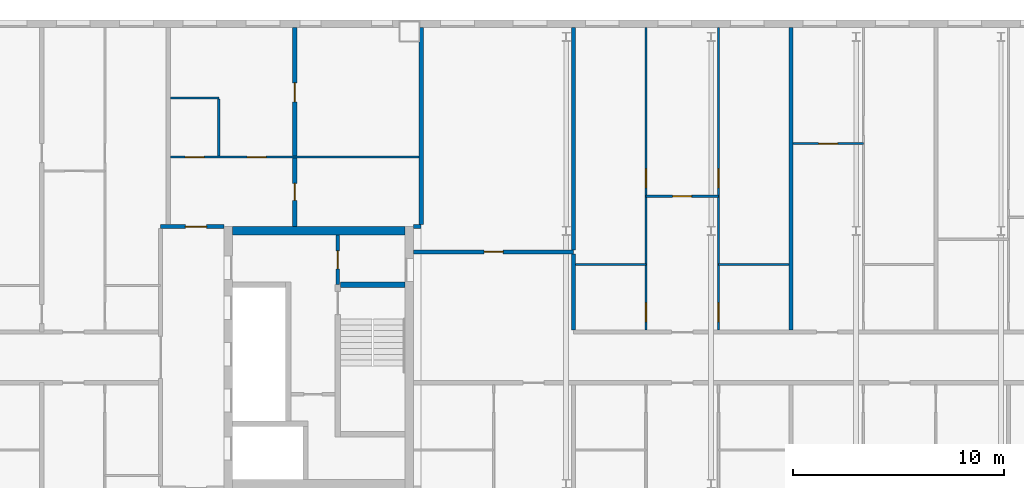
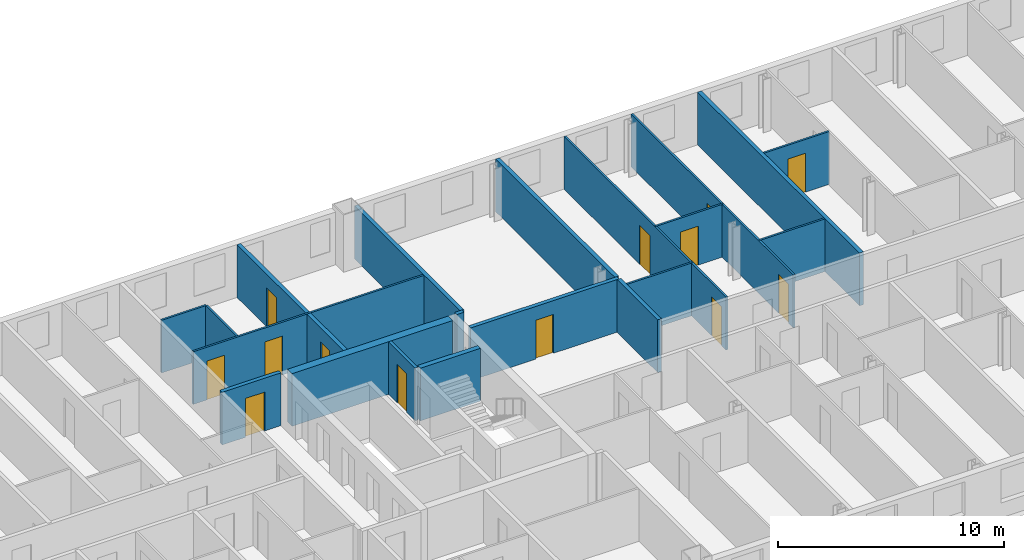
# One storey, part 9 of 19: 20 walls, 13 doors, 13 openings.
"""IFC4 building model written with IfcOpenShell, lengths in metres."""

from ifc_helpers import new_model, si_unit, direction, frame, frame_2d, origin, place, context, subcontext, project, spatial, rectangle, extrude, material, layer, layer_set, type_object, element, fill, save


model = new_model("IFC4")

# Units and contexts
model_context = context("Model", 3, precision=1e-05, world=origin(), true_north=direction((0.0, 1.0)))
body_context = subcontext(model_context, "Body", "Model", "MODEL_VIEW")
ifc_project = project(units=[si_unit("LENGTHUNIT", "METRE"), si_unit("AREAUNIT", "SQUARE_METRE"), si_unit("VOLUMEUNIT", "CUBIC_METRE"), si_unit("PLANEANGLEUNIT", "RADIAN"), si_unit("MASSUNIT", "GRAM", prefix="KILO")], contexts=[model_context])

# Site, building, storey
site_placement = place(None, origin())
site = spatial("IfcSite", under=ifc_project, at=site_placement, CompositionType="ELEMENT")
building_placement = place(site_placement, origin())
building = spatial("IfcBuilding", under=site, at=building_placement, Name="Tuart Gate Housing", CompositionType="ELEMENT")
storey_placement = place(building_placement, frame((0.0, 0.0, 205.89990234375)))
storey = spatial("IfcBuildingStorey", under=building, at=storey_placement, Name="L58", CompositionType="ELEMENT", Elevation=205.89990234375)

# Wall, opening, door
ifc_material_1 = material(Name="Plasterboard partition")
ifc_layer_1 = layer(ifc_material_1, 0.14990234375)
ifc_layer_set_1 = layer_set([ifc_layer_1], Name="Core partition 150")
wall_type_1 = type_object("IfcWallType", Name="Core partition 150", PredefinedType="PARTITIONING", material=ifc_layer_set_1)
wall_1_placement = place(storey_placement, frame((72.0400390625, 73.449951171875, 0.0), z_axis=(0.0, 0.0, 1.0), x_axis=(0.0, 1.0, 0.0)))
wall_1 = element("IfcWall", 1, at=wall_1_placement, inside=storey, type_object=wall_type_1, Name="Core partition AG.9", PredefinedType="PARTITIONING", context=body_context, shape_type="SweptSolid", body=[
    extrude(rectangle(XDim=2.35009765625, YDim=0.14990234375, at=frame_2d((1.175048828125, 0.0))), origin(), (0.0, 0.0, 1.0), 2.85009765625),
])
opening_1_placement = place(wall_1_placement, frame((0.75, 0.0, 0.0)))
opening_1 = element("IfcOpeningElement", 2, at=opening_1_placement, cuts=wall_1, Name="Opening D1966", PredefinedType="OPENING", context=body_context, shape_type="SweptSolid", body=[
    extrude(rectangle(XDim=0.85009765625, YDim=2.10009765625, at=frame_2d((0.425048828125, 1.050048828125))), frame((0.0, 0.0849609375, 0.0), z_axis=(0.0, -1.0, 0.0), x_axis=(1.0, 0.0, 0.0)), (0.0, 0.0, 1.0), 0.169921875),
])
ifc_material_2 = material(Name="Steel fire door", Category="steel")
door_type_1 = type_object("IfcDoorType", Name="Service door 850 x 2100 RH", OperationType="SINGLE_SWING_RIGHT", PredefinedType="DOOR", material=ifc_material_2)
door_1_placement = place(opening_1_placement, frame((0.85009765625, 0.0, 0.0), z_axis=(0.0, 0.0, 1.0), x_axis=(-1.0, 0.0, 0.0)))
door_1 = element("IfcDoor", 3, at=door_1_placement, inside=storey, type_object=door_type_1, Name="Service room door AG.ST", OperationType="SINGLE_SWING_RIGHT", OverallHeight=2.10009765625, OverallWidth=0.85009765625, PredefinedType="DOOR", context=body_context, shape_type="SweptSolid", body=[
    extrude(rectangle(XDim=0.85009765625, YDim=2.10009765625, at=frame_2d((0.425048828125, 1.050048828125))), frame((0.0, 0.025146484375, 0.0), z_axis=(0.0, -1.0, 0.0), x_axis=(1.0, 0.0, 0.0)), (0.0, 0.0, 1.0), 0.050048828125),
])
fill(opening_1, door_1)

# Walls
ifc_material_3 = material(Name="Concrete C40", Category="concrete")
ifc_layer_2 = layer(ifc_material_3, 0.25)
ifc_layer_set_2 = layer_set([ifc_layer_2], Name="Core wall 250 C40")
wall_type_2 = type_object("IfcWallType", Name="Core wall 250 C40", PredefinedType="SHEAR", material=ifc_layer_set_2)
wall_2_placement = place(storey_placement, frame((72.1650390625, 73.449951171875, 0.0), z_axis=(0.0, 0.0, 1.0), x_axis=(1.0, 0.0, 0.0)))
element("IfcWall", 4, at=wall_2_placement, inside=storey, type_object=wall_type_2, Name="Core wall AG.5", PredefinedType="SHEAR", context=body_context, shape_type="SweptSolid", body=[
    extrude(rectangle(XDim=3.074951171875, YDim=0.25, at=frame_2d((1.53759765625, 0.0))), origin(), (0.0, 0.0, 1.0), 2.85009765625),
])
ifc_material_4 = material(Name="Concrete C40", Category="concrete")
ifc_layer_3 = layer(ifc_material_4, 0.39990234375)
ifc_layer_set_3 = layer_set([ifc_layer_3], Name="Core wall 400 C40")
wall_type_3 = type_object("IfcWallType", Name="Core wall 400 C40", PredefinedType="SHEAR", material=ifc_layer_set_3)
wall_3_placement = place(storey_placement, frame((67.0400390625, 76.0, 0.0), z_axis=(0.0, 0.0, 1.0), x_axis=(1.0, 0.0, 0.0)))
element("IfcWall", 5, at=wall_3_placement, inside=storey, type_object=wall_type_3, Name="Core wall AG north", PredefinedType="SHEAR", context=body_context, shape_type="SweptSolid", body=[
    extrude(rectangle(XDim=8.199951171875, YDim=0.39990234375, at=frame_2d((4.10009765625, 0.0))), origin(), (0.0, 0.0, 1.0), 2.85009765625),
])

# Wall, opening, door
ifc_material_5 = material(Name="Concrete masonry 15 MPa", Category="masonry")
ifc_layer_4 = layer(ifc_material_5, 0.199951171875)
ifc_layer_set_4 = layer_set([ifc_layer_4], Name="Corridor wall masonry 200")
wall_type_4 = type_object("IfcWallType", Name="Corridor wall masonry 200", PredefinedType="PARTITIONING", material=ifc_layer_set_4)
wall_4_placement = place(storey_placement, frame((75.639892578125, 75.0, 0.0), z_axis=(0.0, 0.0, 1.0), x_axis=(1.0, 0.0, 0.0)))
wall_4 = element("IfcWall", 6, at=wall_4_placement, inside=storey, type_object=wall_type_4, Name="Corridor wall masonry 200", PredefinedType="PARTITIONING", context=body_context, shape_type="SweptSolid", body=[
    extrude(rectangle(XDim=7.585205078125, YDim=0.199951171875, at=frame_2d((3.79248046875, 0.0))), origin(), (0.0, 0.0, 1.0), 2.85009765625),
])
opening_2_placement = place(wall_4_placement, frame((3.342529296875, 0.0, 0.0)))
opening_2 = element("IfcOpeningElement", 7, at=opening_2_placement, cuts=wall_4, Name="Opening D2021", PredefinedType="OPENING", context=body_context, shape_type="SweptSolid", body=[
    extrude(rectangle(XDim=0.89990234375, YDim=2.10009765625, at=frame_2d((0.449951171875, 1.050048828125))), frame((0.0, 0.10986328125, 0.0), z_axis=(0.0, -1.0, 0.0), x_axis=(1.0, 0.0, 0.0)), (0.0, 0.0, 1.0), 0.219970703125),
])
ifc_material_6 = material(Name="Timber door leaf in steel frame", Category="steel")
door_type_2 = type_object("IfcDoorType", Name="Internal door 900", OperationType="SINGLE_SWING_LEFT", PredefinedType="DOOR", material=ifc_material_6)
door_2_placement = place(opening_2_placement, origin())
door_2 = element("IfcDoor", 8, at=door_2_placement, inside=storey, type_object=door_type_2, Name="Internal door", OperationType="SINGLE_SWING_LEFT", OverallHeight=2.10009765625, OverallWidth=0.89990234375, PredefinedType="DOOR", context=body_context, shape_type="SweptSolid", body=[
    extrude(rectangle(XDim=0.89990234375, YDim=2.10009765625, at=frame_2d((0.449951171875, 1.050048828125))), frame((0.0, 0.02490234375, 0.0), z_axis=(0.0, -1.0, 0.0), x_axis=(1.0, 0.0, 0.0)), (0.0, 0.0, 1.0), 0.050048828125),
])
fill(opening_2, door_2)

# Wall
wall_5_placement = place(storey_placement, frame((83.22509765625, 71.300048828125, 0.0), z_axis=(0.0, 0.0, 1.0), x_axis=(0.0, 1.0, 0.0)))
element("IfcWall", 9, at=wall_5_placement, inside=storey, type_object=wall_type_4, Name="Corridor wall masonry 200", PredefinedType="PARTITIONING", context=body_context, shape_type="SweptSolid", body=[
    extrude(rectangle(XDim=3.599853515625, YDim=0.199951171875, at=frame_2d((1.7998046875, 0.0))), origin(), (0.0, 0.0, 1.0), 2.85009765625),
])

# Wall, opening, door
ifc_material_7 = material(Name="Concrete masonry 15 MPa", Category="masonry")
ifc_layer_5 = layer(ifc_material_7, 0.199951171875)
ifc_layer_set_5 = layer_set([ifc_layer_5], Name="Enclosure wall masonry 200")
wall_type_5 = type_object("IfcWallType", Name="Enclosure wall masonry 200", PredefinedType="PARTITIONING", material=ifc_layer_set_5)
wall_6_placement = place(storey_placement, frame((63.639892578125, 76.199951171875, 0.0), z_axis=(0.0, 0.0, 1.0), x_axis=(1.0, 0.0, 0.0)))
wall_6 = element("IfcWall", 10, at=wall_6_placement, inside=storey, type_object=wall_type_5, Name="Enclosure wall masonry 200", PredefinedType="PARTITIONING", context=body_context, shape_type="SweptSolid", body=[
    extrude(rectangle(XDim=3.0, YDim=0.199951171875, at=frame_2d((1.5, 0.0))), origin(), (0.0, 0.0, 1.0), 2.85009765625),
])
opening_3_placement = place(wall_6_placement, frame((1.179931640625, 0.0, 0.0)))
opening_3 = element("IfcOpeningElement", 11, at=opening_3_placement, cuts=wall_6, Name="Opening D1965", PredefinedType="OPENING", context=body_context, shape_type="SweptSolid", body=[
    extrude(rectangle(XDim=1.0, YDim=2.10009765625, at=frame_2d((0.5, 1.050048828125))), frame((0.0, 0.10986328125, 0.0), z_axis=(0.0, -1.0, 0.0), x_axis=(1.0, 0.0, 0.0)), (0.0, 0.0, 1.0), 0.219970703125),
])
ifc_material_8 = material(Name="Timber door leaf in steel frame", Category="steel")
door_type_3 = type_object("IfcDoorType", Name="Flat entrance door 1000", OperationType="SINGLE_SWING_LEFT", PredefinedType="DOOR", material=ifc_material_8)
door_3_placement = place(opening_3_placement, origin())
door_3 = element("IfcDoor", 12, at=door_3_placement, inside=storey, type_object=door_type_3, Name="Flat entrance door", OperationType="SINGLE_SWING_LEFT", OverallHeight=2.10009765625, OverallWidth=1.0, PredefinedType="DOOR", context=body_context, shape_type="SweptSolid", body=[
    extrude(rectangle(XDim=1.0, YDim=2.10009765625, at=frame_2d((0.5, 1.050048828125))), frame((0.0, 0.02490234375, 0.0), z_axis=(0.0, -1.0, 0.0), x_axis=(1.0, 0.0, 0.0)), (0.0, 0.0, 1.0), 0.050048828125),
])
fill(opening_3, door_3)

# Walls
ifc_material_9 = material(Name="Gypsum board on steel studs", Category="steel")
ifc_layer_6 = layer(ifc_material_9, 0.10009765625)
ifc_layer_set_6 = layer_set([ifc_layer_6], Name="Partition 100")
wall_type_6 = type_object("IfcWallType", Name="Partition 100", PredefinedType="PARTITIONING", material=ifc_layer_set_6)
wall_7_placement = place(storey_placement, frame((83.324951171875, 74.39990234375, 0.0), z_axis=(0.0, 0.0, 1.0), x_axis=(1.0, 0.0, 0.0)))
element("IfcWall", 13, at=wall_7_placement, inside=storey, type_object=wall_type_6, Name="Partition 100", PredefinedType="PARTITIONING", context=body_context, shape_type="SweptSolid", body=[
    extrude(rectangle(XDim=3.337158203125, YDim=0.10009765625, at=frame_2d((1.66845703125, 0.0))), origin(), (0.0, 0.0, 1.0), 2.85009765625),
])
wall_8_placement = place(storey_placement, frame((90.10009765625, 74.39990234375, 0.0), z_axis=(0.0, 0.0, 1.0), x_axis=(1.0, 0.0, 0.0)))
element("IfcWall", 14, at=wall_8_placement, inside=storey, type_object=wall_type_6, Name="Partition 100", PredefinedType="PARTITIONING", context=body_context, shape_type="SweptSolid", body=[
    extrude(rectangle(XDim=3.3369140625, YDim=0.10009765625, at=frame_2d((1.66845703125, 0.0))), origin(), (0.0, 0.0, 1.0), 2.85009765625),
])

# Wall, opening, door
wall_9_placement = place(storey_placement, frame((86.662109375, 77.639892578125, 0.0), z_axis=(0.0, 0.0, 1.0), x_axis=(1.0, 0.0, 0.0)))
wall_9 = element("IfcWall", 15, at=wall_9_placement, inside=storey, type_object=wall_type_6, Name="Partition 100", PredefinedType="PARTITIONING", context=body_context, shape_type="SweptSolid", body=[
    extrude(rectangle(XDim=3.43798828125, YDim=0.10009765625, at=frame_2d((1.718994140625, 0.0))), origin(), (0.0, 0.0, 1.0), 2.85009765625),
])
opening_4_placement = place(wall_9_placement, frame((1.26904296875, 0.0, 0.0)))
opening_4 = element("IfcOpeningElement", 16, at=opening_4_placement, cuts=wall_9, Name="Opening D2017", PredefinedType="OPENING", context=body_context, shape_type="SweptSolid", body=[
    extrude(rectangle(XDim=0.89990234375, YDim=2.10009765625, at=frame_2d((0.449951171875, 1.050048828125))), frame((0.0, 0.06005859375, 0.0), z_axis=(0.0, -1.0, 0.0), x_axis=(1.0, 0.0, 0.0)), (0.0, 0.0, 1.0), 0.1201171875),
])
ifc_material_10 = material(Name="Timber door leaf in steel frame", Category="steel")
door_type_4 = type_object("IfcDoorType", Name="Internal door 900 RH", OperationType="SINGLE_SWING_RIGHT", PredefinedType="DOOR", material=ifc_material_10)
door_4_placement = place(opening_4_placement, frame((0.89990234375, 0.0, 0.0), z_axis=(0.0, 0.0, 1.0), x_axis=(-1.0, 0.0, 0.0)))
door_4 = element("IfcDoor", 17, at=door_4_placement, inside=storey, type_object=door_type_4, Name="Internal door", OperationType="SINGLE_SWING_RIGHT", OverallHeight=2.10009765625, OverallWidth=0.89990234375, PredefinedType="DOOR", context=body_context, shape_type="SweptSolid", body=[
    extrude(rectangle(XDim=0.89990234375, YDim=2.10009765625, at=frame_2d((0.449951171875, 1.050048828125))), frame((0.0, 0.025146484375, 0.0), z_axis=(0.0, -1.0, 0.0), x_axis=(1.0, 0.0, 0.0)), (0.0, 0.0, 1.0), 0.050048828125),
])
fill(opening_4, door_4)

# Wall, openings, doors
wall_10_placement = place(storey_placement, frame((64.10009765625, 79.5, 0.0), z_axis=(0.0, 0.0, 1.0), x_axis=(1.0, 0.0, 0.0)))
wall_10 = element("IfcWall", 18, at=wall_10_placement, inside=storey, type_object=wall_type_6, Name="Partition 100", PredefinedType="PARTITIONING", context=body_context, shape_type="SweptSolid", body=[
    extrude(rectangle(XDim=11.7998046875, YDim=0.10009765625, at=frame_2d((5.89990234375, 0.0))), origin(), (0.0, 0.0, 1.0), 2.85009765625),
])
opening_5_placement = place(wall_10_placement, frame((3.64990234375, 0.0, 0.0)))
opening_5 = element("IfcOpeningElement", 19, at=opening_5_placement, cuts=wall_10, Name="Opening D1953", PredefinedType="OPENING", context=body_context, shape_type="SweptSolid", body=[
    extrude(rectangle(XDim=0.89990234375, YDim=2.10009765625, at=frame_2d((0.449951171875, 1.050048828125))), frame((0.0, 0.06005859375, 0.0), z_axis=(0.0, -1.0, 0.0), x_axis=(1.0, 0.0, 0.0)), (0.0, 0.0, 1.0), 0.1201171875),
])
opening_6_placement = place(wall_10_placement, frame((0.699951171875, 0.0, 0.0)))
opening_6 = element("IfcOpeningElement", 20, at=opening_6_placement, cuts=wall_10, Name="Opening D1952", PredefinedType="OPENING", context=body_context, shape_type="SweptSolid", body=[
    extrude(rectangle(XDim=0.89990234375, YDim=2.10009765625, at=frame_2d((0.449951171875, 1.050048828125))), frame((0.0, 0.06005859375, 0.0), z_axis=(0.0, -1.0, 0.0), x_axis=(1.0, 0.0, 0.0)), (0.0, 0.0, 1.0), 0.1201171875),
])
ifc_material_11 = material(Name="Timber door leaf in steel frame", Category="steel")
door_type_5 = type_object("IfcDoorType", Name="Bathroom door 900 RH", OperationType="SINGLE_SWING_RIGHT", PredefinedType="DOOR", material=ifc_material_11)
door_5_placement = place(opening_6_placement, origin())
door_5 = element("IfcDoor", 21, at=door_5_placement, inside=storey, type_object=door_type_5, Name="Bathroom door", OperationType="SINGLE_SWING_RIGHT", OverallHeight=2.10009765625, OverallWidth=0.89990234375, PredefinedType="DOOR", context=body_context, shape_type="SweptSolid", body=[
    extrude(rectangle(XDim=0.89990234375, YDim=2.10009765625, at=frame_2d((0.449951171875, 1.050048828125))), frame((0.0, 0.02490234375, 0.0), z_axis=(0.0, -1.0, 0.0), x_axis=(1.0, 0.0, 0.0)), (0.0, 0.0, 1.0), 0.050048828125),
])
fill(opening_6, door_5)
door_6_placement = place(opening_5_placement, frame((0.89990234375, 0.0, 0.0), z_axis=(0.0, 0.0, 1.0), x_axis=(-1.0, 0.0, 0.0)))
door_6 = element("IfcDoor", 22, at=door_6_placement, inside=storey, type_object=door_type_2, Name="Internal door", OperationType="SINGLE_SWING_LEFT", OverallHeight=2.10009765625, OverallWidth=0.89990234375, PredefinedType="DOOR", context=body_context, shape_type="SweptSolid", body=[
    extrude(rectangle(XDim=0.89990234375, YDim=2.10009765625, at=frame_2d((0.449951171875, 1.050048828125))), frame((0.0, 0.025146484375, 0.0), z_axis=(0.0, -1.0, 0.0), x_axis=(1.0, 0.0, 0.0)), (0.0, 0.0, 1.0), 0.050048828125),
])
fill(opening_5, door_6)

# Wall, opening, door
wall_11_placement = place(storey_placement, frame((93.636962890625, 80.139892578125, 0.0), z_axis=(0.0, 0.0, 1.0), x_axis=(1.0, 0.0, 0.0)))
wall_11 = element("IfcWall", 23, at=wall_11_placement, inside=storey, type_object=wall_type_6, Name="Partition 100", PredefinedType="PARTITIONING", context=body_context, shape_type="SweptSolid", body=[
    extrude(rectangle(XDim=3.338134765625, YDim=0.10009765625, at=frame_2d((1.6689453125, 0.0))), origin(), (0.0, 0.0, 1.0), 2.85009765625),
])
opening_7_placement = place(wall_11_placement, frame((1.218994140625, 0.0, 0.0)))
opening_7 = element("IfcOpeningElement", 24, at=opening_7_placement, cuts=wall_11, Name="Opening D2002", PredefinedType="OPENING", context=body_context, shape_type="SweptSolid", body=[
    extrude(rectangle(XDim=0.89990234375, YDim=2.10009765625, at=frame_2d((0.449951171875, 1.050048828125))), frame((0.0, 0.06005859375, 0.0), z_axis=(0.0, -1.0, 0.0), x_axis=(1.0, 0.0, 0.0)), (0.0, 0.0, 1.0), 0.1201171875),
])
door_7_placement = place(opening_7_placement, frame((0.89990234375, 0.0, 0.0), z_axis=(0.0, 0.0, 1.0), x_axis=(-1.0, 0.0, 0.0)))
door_7 = element("IfcDoor", 25, at=door_7_placement, inside=storey, type_object=door_type_2, Name="Internal door", OperationType="SINGLE_SWING_LEFT", OverallHeight=2.10009765625, OverallWidth=0.89990234375, PredefinedType="DOOR", context=body_context, shape_type="SweptSolid", body=[
    extrude(rectangle(XDim=0.89990234375, YDim=2.10009765625, at=frame_2d((0.449951171875, 1.050048828125))), frame((0.0, 0.025146484375, 0.0), z_axis=(0.0, -1.0, 0.0), x_axis=(1.0, 0.0, 0.0)), (0.0, 0.0, 1.0), 0.050048828125),
])
fill(opening_7, door_7)

# Walls
wall_12_placement = place(storey_placement, frame((64.10009765625, 82.300048828125, 0.0), z_axis=(0.0, 0.0, 1.0), x_axis=(1.0, 0.0, 0.0)))
element("IfcWall", 26, at=wall_12_placement, inside=storey, type_object=wall_type_6, Name="Partition 100", PredefinedType="PARTITIONING", context=body_context, shape_type="SweptSolid", body=[
    extrude(rectangle(XDim=2.2998046875, YDim=0.10009765625, at=frame_2d((1.14990234375, 0.0))), origin(), (0.0, 0.0, 1.0), 2.85009765625),
])
wall_13_placement = place(storey_placement, frame((66.39990234375, 79.550048828125, 0.0), z_axis=(0.0, 0.0, 1.0), x_axis=(0.0, 1.0, 0.0)))
element("IfcWall", 27, at=wall_13_placement, inside=storey, type_object=wall_type_6, Name="Partition 100", PredefinedType="PARTITIONING", context=body_context, shape_type="SweptSolid", body=[
    extrude(rectangle(XDim=2.699951171875, YDim=0.10009765625, at=frame_2d((1.35009765625, 0.0))), origin(), (0.0, 0.0, 1.0), 2.85009765625),
])

# Wall, openings, doors
wall_14_placement = place(storey_placement, frame((86.662109375, 71.300048828125, 0.0), z_axis=(0.0, 0.0, 1.0), x_axis=(0.0, 1.0, 0.0)))
wall_14 = element("IfcWall", 28, at=wall_14_placement, inside=storey, type_object=wall_type_6, Name="Partition 100", PredefinedType="PARTITIONING", context=body_context, shape_type="SweptSolid", body=[
    extrude(rectangle(XDim=14.33984375, YDim=0.10009765625, at=frame_2d((7.169921875, 0.0))), origin(), (0.0, 0.0, 1.0), 2.85009765625),
])
opening_8_placement = place(wall_14_placement, frame((6.739990234375, 0.0, 0.0)))
opening_8 = element("IfcOpeningElement", 29, at=opening_8_placement, cuts=wall_14, Name="Opening D2004", PredefinedType="OPENING", context=body_context, shape_type="SweptSolid", body=[
    extrude(rectangle(XDim=0.89990234375, YDim=2.10009765625, at=frame_2d((0.449951171875, 1.050048828125))), frame((0.0, 0.06005859375, 0.0), z_axis=(0.0, -1.0, 0.0), x_axis=(1.0, 0.0, 0.0)), (0.0, 0.0, 1.0), 0.1201171875),
])
opening_9_placement = place(wall_14_placement, frame((0.39990234375, 0.0, 0.0)))
opening_9 = element("IfcOpeningElement", 30, at=opening_9_placement, cuts=wall_14, Name="Opening D2003", PredefinedType="OPENING", context=body_context, shape_type="SweptSolid", body=[
    extrude(rectangle(XDim=0.89990234375, YDim=2.10009765625, at=frame_2d((0.449951171875, 1.050048828125))), frame((0.0, 0.06005859375, 0.0), z_axis=(0.0, -1.0, 0.0), x_axis=(1.0, 0.0, 0.0)), (0.0, 0.0, 1.0), 0.1201171875),
])
ifc_material_12 = material(Name="Timber door leaf in steel frame", Category="steel")
door_type_6 = type_object("IfcDoorType", Name="Bathroom door 900", OperationType="SINGLE_SWING_LEFT", PredefinedType="DOOR", material=ifc_material_12)
door_8_placement = place(opening_9_placement, origin())
door_8 = element("IfcDoor", 31, at=door_8_placement, inside=storey, type_object=door_type_6, Name="Bathroom door", OperationType="SINGLE_SWING_LEFT", OverallHeight=2.10009765625, OverallWidth=0.89990234375, PredefinedType="DOOR", context=body_context, shape_type="SweptSolid", body=[
    extrude(rectangle(XDim=0.89990234375, YDim=2.10009765625, at=frame_2d((0.449951171875, 1.050048828125))), frame((0.0, 0.02490234375, 0.0), z_axis=(0.0, -1.0, 0.0), x_axis=(1.0, 0.0, 0.0)), (0.0, 0.0, 1.0), 0.050048828125),
])
fill(opening_9, door_8)
door_9_placement = place(opening_8_placement, origin())
door_9 = element("IfcDoor", 32, at=door_9_placement, inside=storey, type_object=door_type_2, Name="Internal door", OperationType="SINGLE_SWING_LEFT", OverallHeight=2.10009765625, OverallWidth=0.89990234375, PredefinedType="DOOR", context=body_context, shape_type="SweptSolid", body=[
    extrude(rectangle(XDim=0.89990234375, YDim=2.10009765625, at=frame_2d((0.449951171875, 1.050048828125))), frame((0.0, 0.02490234375, 0.0), z_axis=(0.0, -1.0, 0.0), x_axis=(1.0, 0.0, 0.0)), (0.0, 0.0, 1.0), 0.050048828125),
])
fill(opening_8, door_9)

wall_15_placement = place(storey_placement, frame((90.10009765625, 71.300048828125, 0.0), z_axis=(0.0, 0.0, 1.0), x_axis=(0.0, 1.0, 0.0)))
wall_15 = element("IfcWall", 33, at=wall_15_placement, inside=storey, type_object=wall_type_6, Name="Partition 100", PredefinedType="PARTITIONING", context=body_context, shape_type="SweptSolid", body=[
    extrude(rectangle(XDim=14.33984375, YDim=0.10009765625, at=frame_2d((7.169921875, 0.0))), origin(), (0.0, 0.0, 1.0), 2.85009765625),
])
opening_10_placement = place(wall_15_placement, frame((6.739990234375, 0.0, 0.0)))
opening_10 = element("IfcOpeningElement", 34, at=opening_10_placement, cuts=wall_15, Name="Opening D2006", PredefinedType="OPENING", context=body_context, shape_type="SweptSolid", body=[
    extrude(rectangle(XDim=0.89990234375, YDim=2.10009765625, at=frame_2d((0.449951171875, 1.050048828125))), frame((0.0, 0.06005859375, 0.0), z_axis=(0.0, -1.0, 0.0), x_axis=(1.0, 0.0, 0.0)), (0.0, 0.0, 1.0), 0.1201171875),
])
opening_11_placement = place(wall_15_placement, frame((0.39990234375, 0.0, 0.0)))
opening_11 = element("IfcOpeningElement", 35, at=opening_11_placement, cuts=wall_15, Name="Opening D2005", PredefinedType="OPENING", context=body_context, shape_type="SweptSolid", body=[
    extrude(rectangle(XDim=0.89990234375, YDim=2.10009765625, at=frame_2d((0.449951171875, 1.050048828125))), frame((0.0, 0.06005859375, 0.0), z_axis=(0.0, -1.0, 0.0), x_axis=(1.0, 0.0, 0.0)), (0.0, 0.0, 1.0), 0.1201171875),
])
door_10_placement = place(opening_11_placement, frame((0.89990234375, 0.0, 0.0), z_axis=(0.0, 0.0, 1.0), x_axis=(-1.0, 0.0, 0.0)))
door_10 = element("IfcDoor", 36, at=door_10_placement, inside=storey, type_object=door_type_5, Name="Bathroom door", OperationType="SINGLE_SWING_RIGHT", OverallHeight=2.10009765625, OverallWidth=0.89990234375, PredefinedType="DOOR", context=body_context, shape_type="SweptSolid", body=[
    extrude(rectangle(XDim=0.89990234375, YDim=2.10009765625, at=frame_2d((0.449951171875, 1.050048828125))), frame((0.0, 0.025146484375, 0.0), z_axis=(0.0, -1.0, 0.0), x_axis=(1.0, 0.0, 0.0)), (0.0, 0.0, 1.0), 0.050048828125),
])
fill(opening_11, door_10)
door_11_placement = place(opening_10_placement, frame((0.89990234375, 0.0, 0.0), z_axis=(0.0, 0.0, 1.0), x_axis=(-1.0, 0.0, 0.0)))
door_11 = element("IfcDoor", 37, at=door_11_placement, inside=storey, type_object=door_type_4, Name="Internal door", OperationType="SINGLE_SWING_RIGHT", OverallHeight=2.10009765625, OverallWidth=0.89990234375, PredefinedType="DOOR", context=body_context, shape_type="SweptSolid", body=[
    extrude(rectangle(XDim=0.89990234375, YDim=2.10009765625, at=frame_2d((0.449951171875, 1.050048828125))), frame((0.0, 0.025146484375, 0.0), z_axis=(0.0, -1.0, 0.0), x_axis=(1.0, 0.0, 0.0)), (0.0, 0.0, 1.0), 0.050048828125),
])
fill(opening_10, door_11)

ifc_material_13 = material(Name="Concrete C40", Category="concrete")
ifc_layer_7 = layer(ifc_material_13, 0.199951171875)
ifc_layer_set_7 = layer_set([ifc_layer_7], Name="Party wall concrete C40 200")
wall_type_7 = type_object("IfcWallType", Name="Party wall concrete C40 200", PredefinedType="SOLIDWALL", material=ifc_layer_set_7)
wall_16_placement = place(storey_placement, frame((70.0, 76.199951171875, 0.0), z_axis=(0.0, 0.0, 1.0), x_axis=(0.0, 1.0, 0.0)))
wall_16 = element("IfcWall", 38, at=wall_16_placement, inside=storey, type_object=wall_type_7, Name="Party wall concrete C40 200", PredefinedType="SOLIDWALL", context=body_context, shape_type="SweptSolid", body=[
    extrude(rectangle(XDim=9.43994140625, YDim=0.199951171875, at=frame_2d((4.719970703125, 0.0))), origin(), (0.0, 0.0, 1.0), 2.85009765625),
])
opening_12_placement = place(wall_16_placement, frame((5.919921875, 0.0, 0.0)))
opening_12 = element("IfcOpeningElement", 39, at=opening_12_placement, cuts=wall_16, Name="Opening D1948", PredefinedType="OPENING", context=body_context, shape_type="SweptSolid", body=[
    extrude(rectangle(XDim=0.89990234375, YDim=2.10009765625, at=frame_2d((0.449951171875, 1.050048828125))), frame((0.0, 0.10986328125, 0.0), z_axis=(0.0, -1.0, 0.0), x_axis=(1.0, 0.0, 0.0)), (0.0, 0.0, 1.0), 0.219970703125),
])
opening_13_placement = place(wall_16_placement, frame((1.25, 0.0, 0.0)))
opening_13 = element("IfcOpeningElement", 40, at=opening_13_placement, cuts=wall_16, Name="Opening D1949", PredefinedType="OPENING", context=body_context, shape_type="SweptSolid", body=[
    extrude(rectangle(XDim=0.800048828125, YDim=2.10009765625, at=frame_2d((0.39990234375, 1.050048828125))), frame((0.0, 0.10986328125, 0.0), z_axis=(0.0, -1.0, 0.0), x_axis=(1.0, 0.0, 0.0)), (0.0, 0.0, 1.0), 0.219970703125),
])
door_12_placement = place(opening_12_placement, frame((0.89990234375, 0.0, 0.0), z_axis=(0.0, 0.0, 1.0), x_axis=(-1.0, 0.0, 0.0)))
door_12 = element("IfcDoor", 41, at=door_12_placement, inside=storey, type_object=door_type_4, Name="Internal door", OperationType="SINGLE_SWING_RIGHT", OverallHeight=2.10009765625, OverallWidth=0.89990234375, PredefinedType="DOOR", context=body_context, shape_type="SweptSolid", body=[
    extrude(rectangle(XDim=0.89990234375, YDim=2.10009765625, at=frame_2d((0.449951171875, 1.050048828125))), frame((0.0, 0.025146484375, 0.0), z_axis=(0.0, -1.0, 0.0), x_axis=(1.0, 0.0, 0.0)), (0.0, 0.0, 1.0), 0.050048828125),
])
fill(opening_12, door_12)
ifc_material_14 = material(Name="Timber door leaf in steel frame", Category="steel")
door_type_7 = type_object("IfcDoorType", Name="Store door 800 RH", OperationType="SINGLE_SWING_RIGHT", PredefinedType="DOOR", material=ifc_material_14)
door_13_placement = place(opening_13_placement, frame((0.800048828125, 0.0, 0.0), z_axis=(0.0, 0.0, 1.0), x_axis=(-1.0, 0.0, 0.0)))
door_13 = element("IfcDoor", 42, at=door_13_placement, inside=storey, type_object=door_type_7, Name="Store door", OperationType="SINGLE_SWING_RIGHT", OverallHeight=2.10009765625, OverallWidth=0.800048828125, PredefinedType="DOOR", context=body_context, shape_type="SweptSolid", body=[
    extrude(rectangle(XDim=0.800048828125, YDim=2.10009765625, at=frame_2d((0.400146484375, 1.050048828125))), frame((0.0, 0.025146484375, 0.0), z_axis=(0.0, -1.0, 0.0), x_axis=(1.0, 0.0, 0.0)), (0.0, 0.0, 1.0), 0.050048828125),
])
fill(opening_13, door_13)

# Walls
ifc_material_15 = material(Name="Concrete masonry 15 MPa", Category="masonry")
ifc_layer_8 = layer(ifc_material_15, 0.199951171875)
ifc_layer_set_8 = layer_set([ifc_layer_8], Name="Party wall masonry 200")
wall_type_8 = type_object("IfcWallType", Name="Party wall masonry 200", PredefinedType="PARTITIONING", material=ifc_layer_set_8)
wall_17_placement = place(storey_placement, frame((75.639892578125, 76.199951171875, 0.0), z_axis=(0.0, 0.0, 1.0), x_axis=(1.0, 0.0, 0.0)))
element("IfcWall", 43, at=wall_17_placement, inside=storey, type_object=wall_type_8, Name="Party wall masonry 200", PredefinedType="PARTITIONING", context=body_context, shape_type="SweptSolid", body=[
    extrude(rectangle(XDim=0.360107421875, YDim=0.199951171875, at=frame_2d((0.18017578125, 0.0))), origin(), (0.0, 0.0, 1.0), 2.85009765625),
])
wall_18_placement = place(storey_placement, frame((76.0, 76.300048828125, 0.0), z_axis=(0.0, 0.0, 1.0), x_axis=(0.0, 1.0, 0.0)))
element("IfcWall", 44, at=wall_18_placement, inside=storey, type_object=wall_type_8, Name="Party wall masonry 200", PredefinedType="PARTITIONING", context=body_context, shape_type="SweptSolid", body=[
    extrude(rectangle(XDim=9.33984375, YDim=0.199951171875, at=frame_2d((4.669921875, 0.0))), origin(), (0.0, 0.0, 1.0), 2.85009765625),
])
wall_19_placement = place(storey_placement, frame((83.22509765625, 75.10009765625, 0.0), z_axis=(0.0, 0.0, 1.0), x_axis=(0.0, 1.0, 0.0)))
element("IfcWall", 45, at=wall_19_placement, inside=storey, type_object=wall_type_8, Name="Party wall masonry 200", PredefinedType="PARTITIONING", context=body_context, shape_type="SweptSolid", body=[
    extrude(rectangle(XDim=10.539794921875, YDim=0.199951171875, at=frame_2d((5.27001953125, 0.0))), origin(), (0.0, 0.0, 1.0), 2.85009765625),
])
wall_20_placement = place(storey_placement, frame((93.537109375, 71.300048828125, 0.0), z_axis=(0.0, 0.0, 1.0), x_axis=(0.0, 1.0, 0.0)))
element("IfcWall", 46, at=wall_20_placement, inside=storey, type_object=wall_type_8, Name="Party wall masonry 200", PredefinedType="PARTITIONING", context=body_context, shape_type="SweptSolid", body=[
    extrude(rectangle(XDim=14.33984375, YDim=0.199951171875, at=frame_2d((7.169921875, 0.0))), origin(), (0.0, 0.0, 1.0), 2.85009765625),
])

save(model, "model.ifc")
